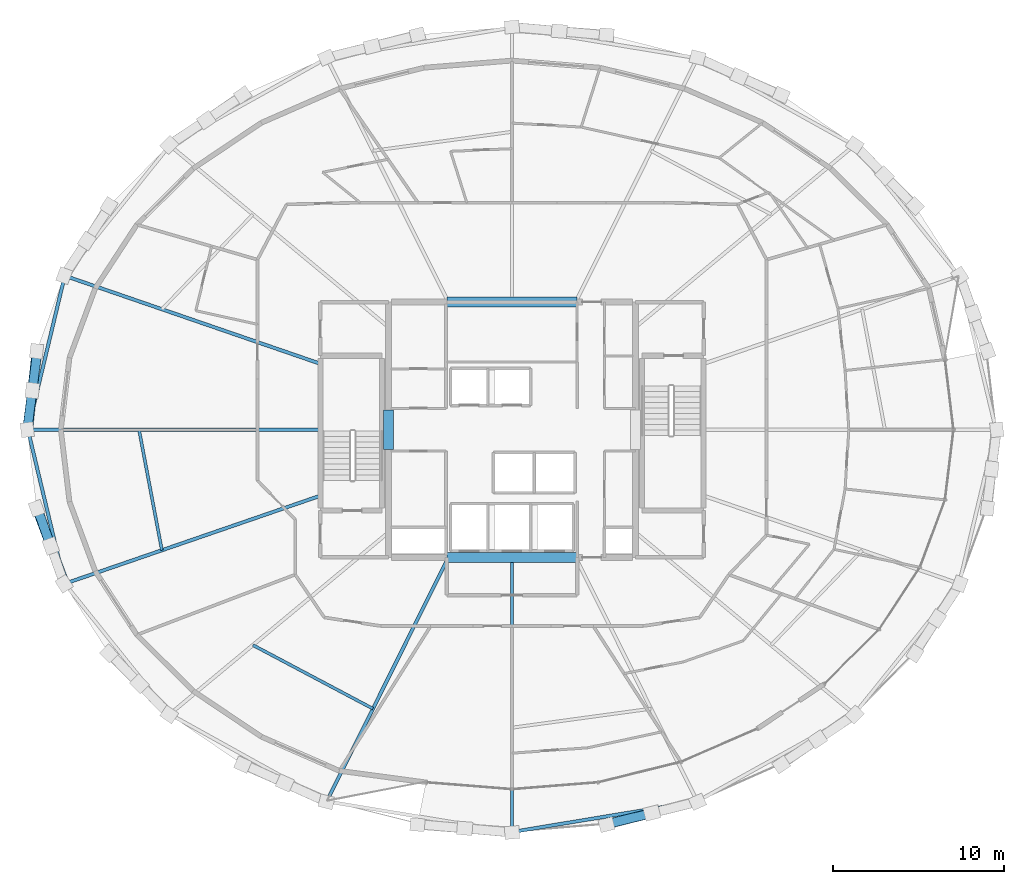
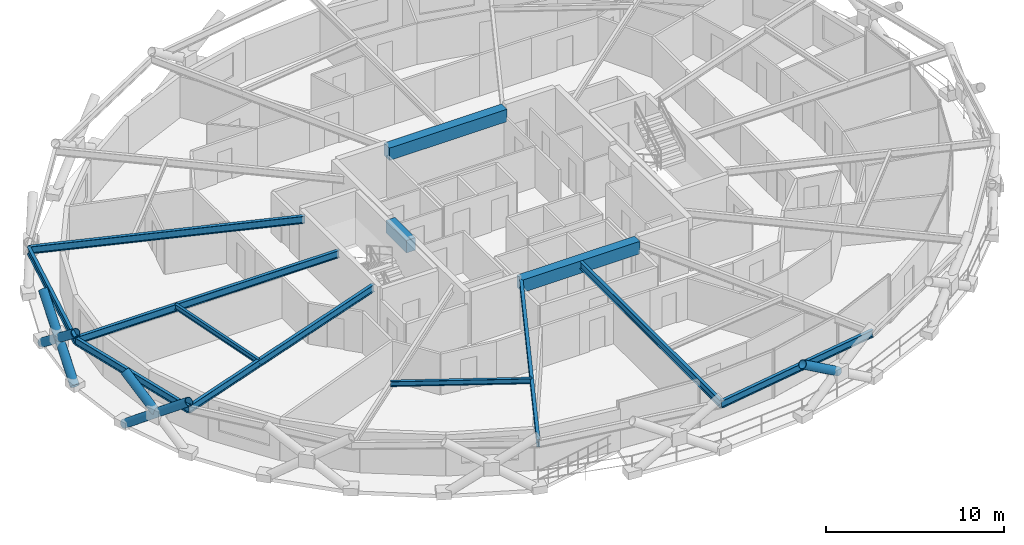
# One storey, part 3 of 20: 13 beams, 6 members.
"""IFC4 building model written with IfcOpenShell, lengths in metres."""

from ifc_helpers import new_model, si_unit, direction, frame, origin, origin_2d, place, context, subcontext, project, spatial, rectangle, hollow_circle, i_section, extrude, material, material_profile, profile_set, type_object, element, save


model = new_model("IFC4")

# Units and contexts
model_context = context("Model", 3, precision=1e-05, world=origin(), true_north=direction((0.0, 1.0)))
body_context = subcontext(model_context, "Body", "Model", "MODEL_VIEW")
ifc_project = project(units=[si_unit("LENGTHUNIT", "METRE"), si_unit("AREAUNIT", "SQUARE_METRE"), si_unit("VOLUMEUNIT", "CUBIC_METRE"), si_unit("PLANEANGLEUNIT", "RADIAN"), si_unit("MASSUNIT", "GRAM", prefix="KILO")], contexts=[model_context])

# Site, building, storey
site_placement = place(None, origin())
site = spatial("IfcSite", under=ifc_project, at=site_placement, CompositionType="ELEMENT")
building_placement = place(site_placement, origin())
building = spatial("IfcBuilding", under=site, at=building_placement, Name="Veldorina Hangang Commons", CompositionType="ELEMENT")
storey_placement = place(building_placement, frame((0.0, 0.0, 153.199951171875)))
storey = spatial("IfcBuildingStorey", under=building, at=storey_placement, Name="L39", CompositionType="ELEMENT", Elevation=153.199951171875)

# Beams
ifc_material_1 = material(Name="Concrete C60/75", Category="concrete")
ifc_material_profile_1 = material_profile(ifc_material_1, rectangle(XDim=0.60009765625, YDim=0.85009765625, at=origin_2d()), Name="RC-CB-600x850")
ifc_profile_set_1 = profile_set([ifc_material_profile_1], Name="Concrete C60/75")
beam_type_1 = type_object("IfcBeamType", Name="BM-CB850", PredefinedType="LINTEL", material=ifc_profile_set_1)
beam_1_placement = place(storey_placement, frame((24.800048828125, 22.85009765625, 2.925048828125), z_axis=(0.0, 1.0, 0.0), x_axis=(-1.0, 0.0, 0.0)))
element("IfcBeam", 1, at=beam_1_placement, inside=storey, type_object=beam_type_1, Name="L39 W core coupling lintel beam", PredefinedType="LINTEL", context=body_context, shape_type="SweptSolid", body=[
    extrude(rectangle(XDim=0.60009765625, YDim=0.85009765625, at=origin_2d()), origin(), (0.0, 0.0, 1.0), 2.2998046875),
])
for number, where, z_axis, x_axis, name in (
    (2, (28.199951171875, 16.550048828125, 2.925048828125), (1.0, 0.0, 0.0), (0.0, 1.0, 0.0), "L39 south core coupling beam"),
    (3, (28.199951171875, 31.449951171875, 2.925048828125), (1.0, 0.0, 0.0), (0.0, 1.0, 0.0), "L39 north core coupling beam"),
):
    element("IfcBeam", number, at=place(storey_placement, frame(where, z_axis=z_axis, x_axis=x_axis)), inside=storey, type_object=beam_type_1, Name=name, PredefinedType="LINTEL", context=body_context, shape_type="SweptSolid", body=[
        extrude(rectangle(XDim=0.60009765625, YDim=0.85009765625, at=origin_2d()), origin(), (0.0, 0.0, 1.0), 7.60009765625),
    ])
ifc_material_2 = material(Name="Steel SM420-TMC", Category="steel")
ifc_material_profile_2 = material_profile(ifc_material_2, i_section(OverallWidth=0.199951171875, OverallDepth=0.5, WebThickness=0.010009765625, FlangeThickness=0.01611328125, FilletRadius=0.01611328125, at=origin_2d()), Name="H-500x200x10x16")
ifc_profile_set_2 = profile_set([ifc_material_profile_2], Name="Steel SM420-TMC")
beam_type_2 = type_object("IfcBeamType", Name="BM-FG500", PredefinedType="BEAM", material=ifc_profile_set_2)
beam_2_placement = place(storey_placement, frame((20.820068359375, 27.848388671875, 3.10009765625), z_axis=(-0.94555117652, 0.325473459104, 0.0), x_axis=(-0.325473459104, -0.94555117652, 0.0)))
element("IfcBeam", 4, at=beam_2_placement, inside=storey, type_object=beam_type_2, Name="L39 radial floor girder 08", PredefinedType="BEAM", context=body_context, shape_type="SweptSolid", body=[
    extrude(i_section(OverallWidth=0.199951171875, OverallDepth=0.5, WebThickness=0.010009765625, FlangeThickness=0.01611328125, FilletRadius=0.01611328125, at=origin_2d()), origin(), (0.0, 0.0, 1.0), 15.770263671875),
])
beam_3_placement = place(storey_placement, frame((20.820068359375, 24.0, 3.10009765625), z_axis=(-1.0, 0.0, 0.0), x_axis=(0.0, -1.0, 0.0)))
element("IfcBeam", 5, at=beam_3_placement, inside=storey, type_object=beam_type_2, Name="L39 radial floor girder 09", PredefinedType="BEAM", context=body_context, shape_type="SweptSolid", body=[
    extrude(i_section(OverallWidth=0.199951171875, OverallDepth=0.5, WebThickness=0.010009765625, FlangeThickness=0.01611328125, FilletRadius=0.01611328125, at=origin_2d()), origin(), (0.0, 0.0, 1.0), 17.061279296875),
])
beam_4_placement = place(storey_placement, frame((20.820068359375, 20.151611328125, 3.10009765625), z_axis=(-0.94555117652, -0.325473459104, 0.0), x_axis=(0.325473459104, -0.94555117652, 0.0)))
element("IfcBeam", 6, at=beam_4_placement, inside=storey, type_object=beam_type_2, Name="L39 radial floor girder 10", PredefinedType="BEAM", context=body_context, shape_type="SweptSolid", body=[
    extrude(i_section(OverallWidth=0.199951171875, OverallDepth=0.5, WebThickness=0.010009765625, FlangeThickness=0.01611328125, FilletRadius=0.01611328125, at=origin_2d()), origin(), (0.0, 0.0, 1.0), 15.770263671875),
])
beam_5_placement = place(storey_placement, frame((28.28662109375, 16.550048828125, 3.10009765625), z_axis=(-0.446095589368, -0.89498532119, 0.0), x_axis=(0.89498532119, -0.446095589368, 0.0)))
element("IfcBeam", 7, at=beam_5_placement, inside=storey, type_object=beam_type_2, Name="L39 radial floor girder 12", PredefinedType="BEAM", context=body_context, shape_type="SweptSolid", body=[
    extrude(i_section(OverallWidth=0.199951171875, OverallDepth=0.5, WebThickness=0.010009765625, FlangeThickness=0.01611328125, FilletRadius=0.01611328125, at=origin_2d()), origin(), (0.0, 0.0, 1.0), 15.90234375),
])
beam_6_placement = place(storey_placement, frame((32.0, 16.550048828125, 3.10009765625), z_axis=(0.0, -1.0, 0.0), x_axis=(1.0, 0.0, 0.0)))
element("IfcBeam", 8, at=beam_6_placement, inside=storey, type_object=beam_type_2, Name="L39 radial floor girder 13", PredefinedType="BEAM", context=body_context, shape_type="SweptSolid", body=[
    extrude(i_section(OverallWidth=0.199951171875, OverallDepth=0.5, WebThickness=0.010009765625, FlangeThickness=0.01611328125, FilletRadius=0.01611328125, at=origin_2d()), origin(), (0.0, 0.0, 1.0), 16.018798828125),
])
ifc_material_3 = material(Name="Steel SM355-TMC", Category="steel")
ifc_material_profile_3 = material_profile(ifc_material_3, i_section(OverallWidth=0.175048828125, OverallDepth=0.35009765625, WebThickness=0.007080078125, FlangeThickness=0.010986328125, FilletRadius=0.012939453125, at=origin_2d()), Name="H-350x175x7x11")
ifc_profile_set_3 = profile_set([ifc_material_profile_3], Name="Steel SM355-TMC")
beam_type_3 = type_object("IfcBeamType", Name="BM-JST350", PredefinedType="JOIST", material=ifc_profile_set_3)
beam_7_placement = place(storey_placement, frame((10.2421875, 24.0, 3.175048828125), z_axis=(0.186251316459, -0.982502135935, 0.0), x_axis=(0.982502135935, 0.186251316459, 0.0)))
element("IfcBeam", 9, at=beam_7_placement, inside=storey, type_object=beam_type_3, Name="L39 secondary floor joist 09", PredefinedType="JOIST", context=body_context, shape_type="SweptSolid", body=[
    extrude(i_section(OverallWidth=0.175048828125, OverallDepth=0.35009765625, WebThickness=0.007080078125, FlangeThickness=0.010986328125, FilletRadius=0.012939453125, at=origin_2d()), origin(), (0.0, 0.0, 1.0), 7.15576171875),
])
beam_8_placement = place(storey_placement, frame((16.8828125, 11.4375, 3.175048828125), z_axis=(0.88363430945, -0.468177751675, 0.0), x_axis=(0.468177751675, 0.88363430945, 0.0)))
element("IfcBeam", 10, at=beam_8_placement, inside=storey, type_object=beam_type_3, Name="L39 secondary floor joist 11", PredefinedType="JOIST", context=body_context, shape_type="SweptSolid", body=[
    extrude(i_section(OverallWidth=0.175048828125, OverallDepth=0.35009765625, WebThickness=0.007080078125, FlangeThickness=0.010986328125, FilletRadius=0.012939453125, at=origin_2d()), origin(), (0.0, 0.0, 1.0), 7.927978515625),
])
ifc_material_profile_4 = material_profile(ifc_material_2, i_section(OverallWidth=0.199951171875, OverallDepth=0.5, WebThickness=0.010009765625, FlangeThickness=0.01611328125, FilletRadius=0.01611328125, at=origin_2d()), Name="H-500x200x10x16")
ifc_profile_set_4 = profile_set([ifc_material_profile_4], Name="Steel SM420-TMC")
beam_type_4 = type_object("IfcBeamType", Name="BM-RB500", PredefinedType="BEAM", material=ifc_profile_set_4)
for number, where, z_axis, x_axis, name in (
    (11, (5.908447265625, 32.981201171875, 3.10009765625), (-0.232775980867, -0.972530381392, 0.0), (0.972530381392, -0.232775980867, 0.0), "L39 perimeter hoop ring beam 14"),
    (12, (3.7587890625, 24.0, 3.10009765625), (0.232775980867, -0.972530381392, 0.0), (0.972530381392, 0.232775980867, 0.0), "L39 perimeter hoop ring beam 16"),
):
    element("IfcBeam", number, at=place(storey_placement, frame(where, z_axis=z_axis, x_axis=x_axis)), inside=storey, type_object=beam_type_4, Name=name, PredefinedType="BEAM", context=body_context, shape_type="SweptSolid", body=[
        extrude(i_section(OverallWidth=0.199951171875, OverallDepth=0.5, WebThickness=0.010009765625, FlangeThickness=0.01611328125, FilletRadius=0.01611328125, at=origin_2d()), origin(), (0.0, 0.0, 1.0), 9.23486328125),
    ])
beam_9_placement = place(storey_placement, frame((32.0, 0.53125, 3.10009765625), z_axis=(0.986612907573, 0.163079644989, 0.0), x_axis=(-0.163079644989, 0.986612907573, 0.0)))
element("IfcBeam", 13, at=beam_9_placement, inside=storey, type_object=beam_type_4, Name="L39 perimeter hoop ring beam 24", PredefinedType="BEAM", context=body_context, shape_type="SweptSolid", body=[
    extrude(i_section(OverallWidth=0.199951171875, OverallDepth=0.5, WebThickness=0.010009765625, FlangeThickness=0.01611328125, FilletRadius=0.01611328125, at=origin_2d()), origin(), (0.0, 0.0, 1.0), 10.9541015625),
])

# Members
ifc_material_profile_5 = material_profile(ifc_material_2, hollow_circle(Radius=0.27490234375, WallThickness=0.028076171875, at=origin_2d()), Name="CHS-550x28")
ifc_profile_set_5 = profile_set([ifc_material_profile_5], Name="Steel SM420-TMC")
member_type = type_object("IfcMemberType", Name="DG-CHS550", PredefinedType="BRACE", material=ifc_profile_set_5)
member_1_placement = place(storey_placement, frame((4.2626953125, 28.583984375, 0.0), z_axis=(-0.08505439086, -0.783602179974, 0.615413173514), x_axis=(0.994160774008, -0.107909014563, 0.0)))
element("IfcMember", 14, at=member_1_placement, inside=storey, type_object=member_type, Name="L39 continuous perimeter diagrid brace 15", PredefinedType="BRACE", context=body_context, shape_type="SweptSolid", body=[
    extrude(hollow_circle(Radius=0.27490234375, WallThickness=0.028076171875, at=origin_2d()), origin(), (0.0, 0.0, 1.0), 5.849853515625),
])
member_2_placement = place(storey_placement, frame((3.719482421875, 24.0, 0.0), z_axis=(0.100537540675, 0.782042014156, 0.615062997595), x_axis=(-0.99183749455, 0.127508369942, 0.0)))
element("IfcMember", 15, at=member_2_placement, inside=storey, type_object=member_type, Name="L39 split perimeter diagrid lower brace 16", PredefinedType="BRACE", context=body_context, shape_type="SweptSolid", body=[
    extrude(hollow_circle(Radius=0.27490234375, WallThickness=0.028076171875, at=origin_2d()), origin(), (0.0, 0.0, 1.0), 2.9287109375),
])
member_3_placement = place(storey_placement, frame((4.013916015625, 26.290283203125, 1.80126953125), z_axis=(0.100420023233, 0.782074146027, 0.615041339302), x_axis=(-0.991856994237, 0.127356597723, 0.0)))
element("IfcMember", 16, at=member_3_placement, inside=storey, type_object=member_type, Name="L39 split perimeter diagrid upper brace 16", PredefinedType="BRACE", context=body_context, shape_type="SweptSolid", body=[
    extrude(hollow_circle(Radius=0.27490234375, WallThickness=0.028076171875, at=origin_2d()), origin(), (0.0, 0.0, 1.0), 2.9248046875),
])
member_4_placement = place(storey_placement, frame((4.2626953125, 19.416015625, 0.0), z_axis=(0.279137333426, -0.742880790984, 0.608449241494), x_axis=(0.936098207893, 0.351738745634, 0.0)))
element("IfcMember", 17, at=member_4_placement, inside=storey, type_object=member_type, Name="L39 continuous perimeter diagrid brace 17", PredefinedType="BRACE", context=body_context, shape_type="SweptSolid", body=[
    extrude(hollow_circle(Radius=0.27490234375, WallThickness=0.028076171875, at=origin_2d()), origin(), (0.0, 0.0, 1.0), 5.916748046875),
])
member_5_placement = place(storey_placement, frame((5.089111328125, 17.216796875, 1.80126953125), z_axis=(-0.264783397207, 0.74728310227, 0.609473311659), x_axis=(-0.942579332364, -0.333982338156, 0.0)))
element("IfcMember", 18, at=member_5_placement, inside=storey, type_object=member_type, Name="L39 split perimeter diagrid upper brace 18", PredefinedType="BRACE", context=body_context, shape_type="SweptSolid", body=[
    extrude(hollow_circle(Radius=0.27490234375, WallThickness=0.028076171875, at=origin_2d()), origin(), (0.0, 0.0, 1.0), 2.951416015625),
])
member_6_placement = place(storey_placement, frame((40.163330078125, 1.638916015625, 1.801513671875), z_axis=(-0.811300860289, -0.199337553903, 0.549595718414), x_axis=(0.238604519553, -0.971116822658, 0.0)))
element("IfcMember", 19, at=member_6_placement, inside=storey, type_object=member_type, Name="L39 split perimeter diagrid upper brace 26", PredefinedType="BRACE", context=body_context, shape_type="SweptSolid", body=[
    extrude(hollow_circle(Radius=0.27490234375, WallThickness=0.028076171875, at=origin_2d()), origin(), (0.0, 0.0, 1.0), 3.2724609375),
])

save(model, "model.ifc")
